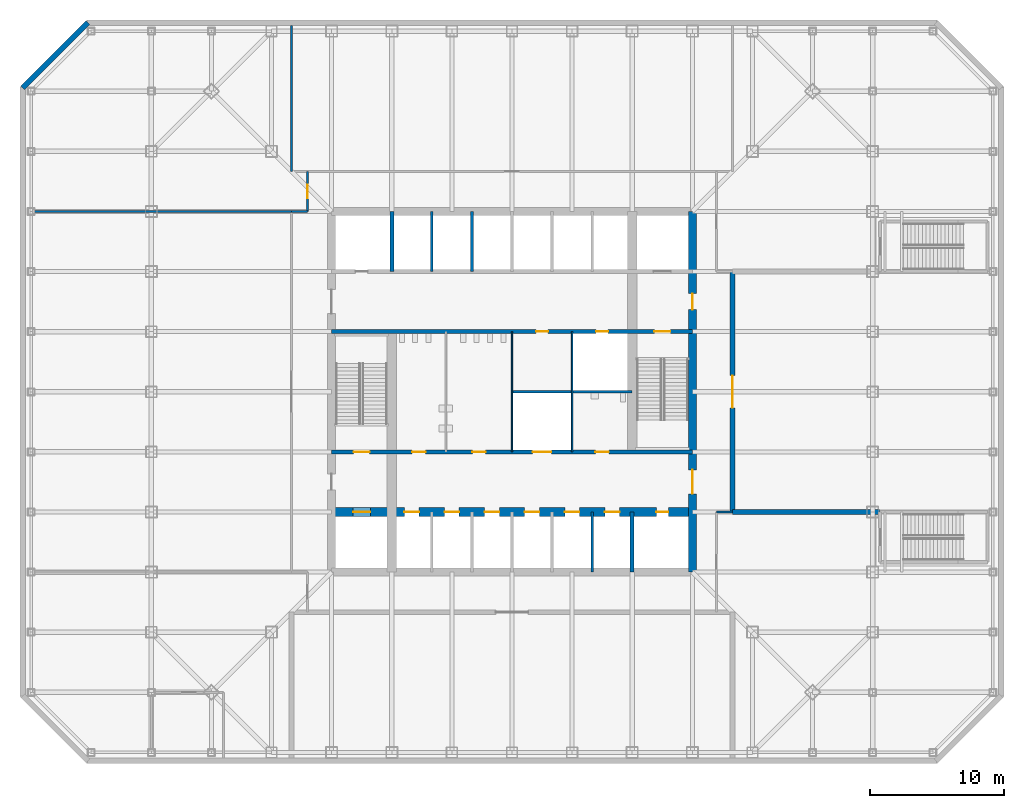
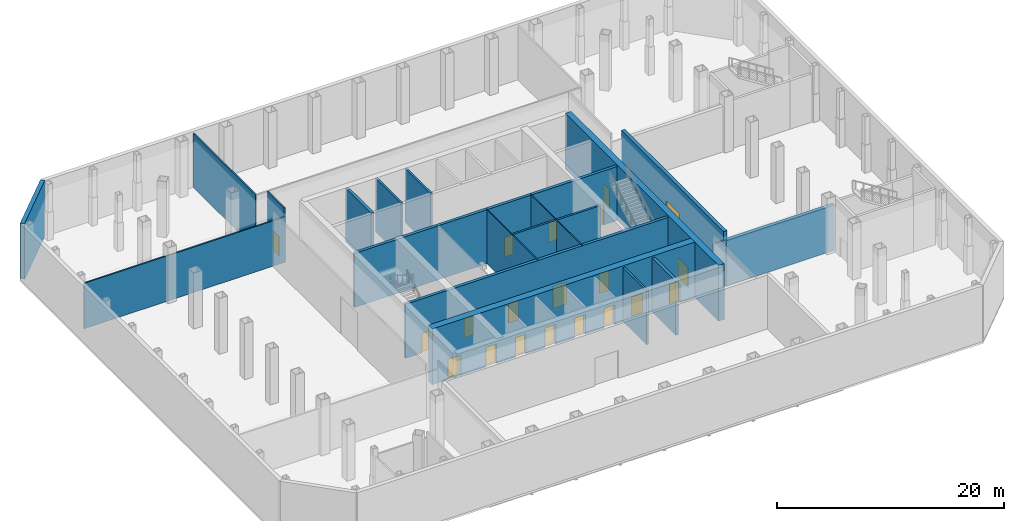
# One storey, part 7 of 12: 20 doors, 20 walls, 20 openings.
"""IFC4 building model written with IfcOpenShell, lengths in metres."""

from ifc_helpers import new_model, si_unit, direction, frame, frame_2d, origin, place, context, subcontext, project, spatial, rectangle, extrude, material, layer, layer_set, type_object, element, fill, save


model = new_model("IFC4")

# Units and contexts
model_context = context("Model", 3, precision=1e-05, world=origin(), true_north=direction((0.0, 1.0)))
body_context = subcontext(model_context, "Body", "Model", "MODEL_VIEW")
ifc_project = project(units=[si_unit("LENGTHUNIT", "METRE"), si_unit("AREAUNIT", "SQUARE_METRE"), si_unit("VOLUMEUNIT", "CUBIC_METRE"), si_unit("PLANEANGLEUNIT", "RADIAN"), si_unit("MASSUNIT", "GRAM", prefix="KILO")], contexts=[model_context])

# Site, building, storey
site_placement = place(None, origin())
site = spatial("IfcSite", under=ifc_project, at=site_placement, CompositionType="ELEMENT")
building_placement = place(site_placement, origin())
building = spatial("IfcBuilding", under=site, at=building_placement, Name="Corais Broadcast Tower", CompositionType="ELEMENT")
storey_placement = place(building_placement, frame((0.0, 0.0, 6.0)))
storey = spatial("IfcBuildingStorey", under=building, at=storey_placement, Name="L01", CompositionType="ELEMENT", Elevation=6.0)

# Walls
ifc_material_1 = material(Name="Concrete blockwork class A, grouted, two-hour", Category="masonry")
ifc_layer_1 = layer(ifc_material_1, 0.300048828125)
ifc_layer_set_1 = layer_set([ifc_layer_1], Name="Concrete blockwork class A, grouted, two-hour")
wall_type_1 = type_object("IfcWallType", Name="Core lobby wall 300", PredefinedType="SOLIDWALL", material=ifc_layer_set_1)
for number, where, z_axis, x_axis, name in (
    (1, (18.0, 36.0, 0.0), (0.0, 0.0, 1.0), (0.0, 1.0, 0.0), "CL1 core shaft wall X18B L01"),
    (2, (36.0, 13.5, 0.0), (0.0, 0.0, 1.0), (0.0, 1.0, 0.0), "CL1 core shaft wall X36A L01"),
):
    element("IfcWall", number, at=place(storey_placement, frame(where, z_axis=z_axis, x_axis=x_axis)), inside=storey, type_object=wall_type_1, Name=name, PredefinedType="SOLIDWALL", context=body_context, shape_type="SweptSolid", body=[
        extrude(rectangle(XDim=4.5, YDim=0.300048828125, at=frame_2d((2.25, 0.0))), origin(), (0.0, 0.0, 1.0), 5.800048828125),
    ])

# Wall, openings, doors
wall_1_placement = place(storey_placement, frame((13.5, 22.5, 0.0), z_axis=(0.0, 0.0, 1.0), x_axis=(1.0, 0.0, 0.0)))
wall_1 = element("IfcWall", 3, at=wall_1_placement, inside=storey, type_object=wall_type_1, Name="CL1 core lobby wall Y225 L01", PredefinedType="SOLIDWALL", context=body_context, shape_type="SweptSolid", body=[
    extrude(rectangle(XDim=27.0, YDim=0.300048828125, at=frame_2d((13.5, 0.0))), origin(), (0.0, 0.0, 1.0), 5.800048828125),
])
opening_1_placement = place(wall_1_placement, frame((1.64990234375, 0.0, 0.0)))
opening_1 = element("IfcOpeningElement", 4, at=opening_1_placement, cuts=wall_1, Name="Opening FD1", PredefinedType="OPENING", context=body_context, shape_type="SweptSolid", body=[
    extrude(rectangle(XDim=1.199951171875, YDim=2.10009765625, at=frame_2d((0.60009765625, 1.050048828125))), frame((0.0, 0.159912109375, 0.0), z_axis=(0.0, -1.0, 0.0), x_axis=(1.0, 0.0, 0.0)), (0.0, 0.0, 1.0), 0.320068359375),
])
opening_2_placement = place(wall_1_placement, frame((6.02490234375, 0.0, 0.0)))
opening_2 = element("IfcOpeningElement", 5, at=opening_2_placement, cuts=wall_1, Name="Opening WD1", PredefinedType="OPENING", context=body_context, shape_type="SweptSolid", body=[
    extrude(rectangle(XDim=1.0, YDim=2.10009765625, at=frame_2d((0.5, 1.050048828125))), frame((0.0, 0.159912109375, 0.0), z_axis=(0.0, -1.0, 0.0), x_axis=(1.0, 0.0, 0.0)), (0.0, 0.0, 1.0), 0.320068359375),
])
opening_3_placement = place(wall_1_placement, frame((10.52490234375, 0.0, 0.0)))
opening_3 = element("IfcOpeningElement", 6, at=opening_3_placement, cuts=wall_1, Name="Opening WD1", PredefinedType="OPENING", context=body_context, shape_type="SweptSolid", body=[
    extrude(rectangle(XDim=1.0, YDim=2.10009765625, at=frame_2d((0.5, 1.050048828125))), frame((0.0, 0.159912109375, 0.0), z_axis=(0.0, -1.0, 0.0), x_axis=(1.0, 0.0, 0.0)), (0.0, 0.0, 1.0), 0.320068359375),
])
opening_4_placement = place(wall_1_placement, frame((19.75, 0.0, 0.0)))
opening_4 = element("IfcOpeningElement", 7, at=opening_4_placement, cuts=wall_1, Name="Opening WD1", PredefinedType="OPENING", context=body_context, shape_type="SweptSolid", body=[
    extrude(rectangle(XDim=1.0, YDim=2.10009765625, at=frame_2d((0.5, 1.050048828125))), frame((0.0, 0.159912109375, 0.0), z_axis=(0.0, -1.0, 0.0), x_axis=(1.0, 0.0, 0.0)), (0.0, 0.0, 1.0), 0.320068359375),
])
opening_5_placement = place(wall_1_placement, frame((15.050048828125, 0.0, 0.0)))
opening_5 = element("IfcOpeningElement", 8, at=opening_5_placement, cuts=wall_1, Name="Opening LD3", PredefinedType="OPENING", context=body_context, shape_type="SweptSolid", body=[
    extrude(rectangle(XDim=1.39990234375, YDim=2.39990234375, at=frame_2d((0.699951171875, 1.199951171875))), frame((0.0, 0.159912109375, 0.0), z_axis=(0.0, -1.0, 0.0), x_axis=(1.0, 0.0, 0.0)), (0.0, 0.0, 1.0), 0.320068359375),
])
ifc_material_2 = material(Name="Steel fire door", Category="steel")
door_type_1 = type_object("IfcDoorType", Name="Fire door 1200x2100", OperationType="SINGLE_SWING_LEFT", PredefinedType="DOOR", material=ifc_material_2)
door_1_placement = place(opening_1_placement, origin())
door_1 = element("IfcDoor", 9, at=door_1_placement, inside=storey, type_object=door_type_1, Name="FD1 stair A door L01", OperationType="SINGLE_SWING_LEFT", OverallHeight=2.10009765625, OverallWidth=1.199951171875, PredefinedType="DOOR", context=body_context, shape_type="SweptSolid", body=[
    extrude(rectangle(XDim=1.199951171875, YDim=2.10009765625, at=frame_2d((0.60009765625, 1.050048828125))), frame((0.0, 0.02490234375, 0.0), z_axis=(0.0, -1.0, 0.0), x_axis=(1.0, 0.0, 0.0)), (0.0, 0.0, 1.0), 0.050048828125),
])
fill(opening_1, door_1)
ifc_material_3 = material(Name="Stainless steel lift door", Category="steel")
door_type_2 = type_object("IfcDoorType", Name="Service lift landing door 1400x2400", OperationType="SLIDING_TO_LEFT", PredefinedType="DOOR", material=ifc_material_3)
door_2_placement = place(opening_5_placement, origin())
door_2 = element("IfcDoor", 10, at=door_2_placement, inside=storey, type_object=door_type_2, Name="LD3 SL1 landing door L01", OperationType="SLIDING_TO_LEFT", OverallHeight=2.39990234375, OverallWidth=1.39990234375, PredefinedType="DOOR", context=body_context, shape_type="SweptSolid", body=[
    extrude(rectangle(XDim=1.39990234375, YDim=2.39990234375, at=frame_2d((0.699951171875, 1.199951171875))), frame((0.0, 0.02490234375, 0.0), z_axis=(0.0, -1.0, 0.0), x_axis=(1.0, 0.0, 0.0)), (0.0, 0.0, 1.0), 0.050048828125),
])
fill(opening_5, door_2)
ifc_material_4 = material(Name="Timber door", Category="wood")
door_type_3 = type_object("IfcDoorType", Name="Toilet door 1000x2100", OperationType="SINGLE_SWING_LEFT", PredefinedType="DOOR", material=ifc_material_4)
door_3_placement = place(opening_2_placement, origin())
door_3 = element("IfcDoor", 11, at=door_3_placement, inside=storey, type_object=door_type_3, Name="WD1 WC male door L01", OperationType="SINGLE_SWING_LEFT", OverallHeight=2.10009765625, OverallWidth=1.0, PredefinedType="DOOR", context=body_context, shape_type="SweptSolid", body=[
    extrude(rectangle(XDim=1.0, YDim=2.10009765625, at=frame_2d((0.5, 1.050048828125))), frame((0.0, 0.02490234375, 0.0), z_axis=(0.0, -1.0, 0.0), x_axis=(1.0, 0.0, 0.0)), (0.0, 0.0, 1.0), 0.050048828125),
])
fill(opening_2, door_3)
door_4_placement = place(opening_3_placement, origin())
door_4 = element("IfcDoor", 12, at=door_4_placement, inside=storey, type_object=door_type_3, Name="WD1 WC female door L01", OperationType="SINGLE_SWING_LEFT", OverallHeight=2.10009765625, OverallWidth=1.0, PredefinedType="DOOR", context=body_context, shape_type="SweptSolid", body=[
    extrude(rectangle(XDim=1.0, YDim=2.10009765625, at=frame_2d((0.5, 1.050048828125))), frame((0.0, 0.02490234375, 0.0), z_axis=(0.0, -1.0, 0.0), x_axis=(1.0, 0.0, 0.0)), (0.0, 0.0, 1.0), 0.050048828125),
])
fill(opening_3, door_4)
door_5_placement = place(opening_4_placement, origin())
door_5 = element("IfcDoor", 13, at=door_5_placement, inside=storey, type_object=door_type_3, Name="WD1 accessible WC door L01", OperationType="SINGLE_SWING_RIGHT", OverallHeight=2.10009765625, OverallWidth=1.0, PredefinedType="DOOR", context=body_context, shape_type="SweptSolid", body=[
    extrude(rectangle(XDim=1.0, YDim=2.10009765625, at=frame_2d((0.5, 1.050048828125))), frame((0.0, 0.02490234375, 0.0), z_axis=(0.0, -1.0, 0.0), x_axis=(1.0, 0.0, 0.0)), (0.0, 0.0, 1.0), 0.050048828125),
])
fill(opening_4, door_5)

wall_2_placement = place(storey_placement, frame((13.5, 31.5, 0.0), z_axis=(0.0, 0.0, 1.0), x_axis=(1.0, 0.0, 0.0)))
wall_2 = element("IfcWall", 14, at=wall_2_placement, inside=storey, type_object=wall_type_1, Name="CL1 core lobby wall Y315 L01", PredefinedType="SOLIDWALL", context=body_context, shape_type="SweptSolid", body=[
    extrude(rectangle(XDim=27.0, YDim=0.300048828125, at=frame_2d((13.5, 0.0))), origin(), (0.0, 0.0, 1.0), 5.800048828125),
])
opening_6_placement = place(wall_2_placement, frame((24.14990234375, 0.0, 0.0)))
opening_6 = element("IfcOpeningElement", 15, at=opening_6_placement, cuts=wall_2, Name="Opening FD1", PredefinedType="OPENING", context=body_context, shape_type="SweptSolid", body=[
    extrude(rectangle(XDim=1.199951171875, YDim=2.10009765625, at=frame_2d((0.60009765625, 1.050048828125))), frame((0.0, 0.159912109375, 0.0), z_axis=(0.0, -1.0, 0.0), x_axis=(1.0, 0.0, 0.0)), (0.0, 0.0, 1.0), 0.320068359375),
])
opening_7_placement = place(wall_2_placement, frame((15.300048828125, 0.0, 0.0)))
opening_7 = element("IfcOpeningElement", 16, at=opening_7_placement, cuts=wall_2, Name="Opening RD1", PredefinedType="OPENING", context=body_context, shape_type="SweptSolid", body=[
    extrude(rectangle(XDim=0.89990234375, YDim=2.10009765625, at=frame_2d((0.449951171875, 1.050048828125))), frame((0.0, 0.159912109375, 0.0), z_axis=(0.0, -1.0, 0.0), x_axis=(1.0, 0.0, 0.0)), (0.0, 0.0, 1.0), 0.320068359375),
])
opening_8_placement = place(wall_2_placement, frame((19.800048828125, 0.0, 0.0)))
opening_8 = element("IfcOpeningElement", 17, at=opening_8_placement, cuts=wall_2, Name="Opening RD1", PredefinedType="OPENING", context=body_context, shape_type="SweptSolid", body=[
    extrude(rectangle(XDim=0.89990234375, YDim=2.10009765625, at=frame_2d((0.449951171875, 1.050048828125))), frame((0.0, 0.159912109375, 0.0), z_axis=(0.0, -1.0, 0.0), x_axis=(1.0, 0.0, 0.0)), (0.0, 0.0, 1.0), 0.320068359375),
])
door_6_placement = place(opening_6_placement, origin())
door_6 = element("IfcDoor", 18, at=door_6_placement, inside=storey, type_object=door_type_1, Name="FD1 stair B door L01", OperationType="SINGLE_SWING_RIGHT", OverallHeight=2.10009765625, OverallWidth=1.199951171875, PredefinedType="DOOR", context=body_context, shape_type="SweptSolid", body=[
    extrude(rectangle(XDim=1.199951171875, YDim=2.10009765625, at=frame_2d((0.60009765625, 1.050048828125))), frame((0.0, 0.02490234375, 0.0), z_axis=(0.0, -1.0, 0.0), x_axis=(1.0, 0.0, 0.0)), (0.0, 0.0, 1.0), 0.050048828125),
])
fill(opening_6, door_6)
ifc_material_5 = material(Name="Steel fire door", Category="steel")
door_type_4 = type_object("IfcDoorType", Name="Riser door 900x2100", OperationType="SINGLE_SWING_LEFT", PredefinedType="DOOR", material=ifc_material_5)
door_7_placement = place(opening_7_placement, origin())
door_7 = element("IfcDoor", 19, at=door_7_placement, inside=storey, type_object=door_type_4, Name="RD1 tea point door L01", OperationType="SINGLE_SWING_RIGHT", OverallHeight=2.10009765625, OverallWidth=0.89990234375, PredefinedType="DOOR", context=body_context, shape_type="SweptSolid", body=[
    extrude(rectangle(XDim=0.89990234375, YDim=2.10009765625, at=frame_2d((0.449951171875, 1.050048828125))), frame((0.0, 0.02490234375, 0.0), z_axis=(0.0, -1.0, 0.0), x_axis=(1.0, 0.0, 0.0)), (0.0, 0.0, 1.0), 0.050048828125),
])
fill(opening_7, door_7)
door_8_placement = place(opening_8_placement, origin())
door_8 = element("IfcDoor", 20, at=door_8_placement, inside=storey, type_object=door_type_4, Name="RD1 riser door L01", OperationType="SINGLE_SWING_RIGHT", OverallHeight=2.10009765625, OverallWidth=0.89990234375, PredefinedType="DOOR", context=body_context, shape_type="SweptSolid", body=[
    extrude(rectangle(XDim=0.89990234375, YDim=2.10009765625, at=frame_2d((0.449951171875, 1.050048828125))), frame((0.0, 0.02490234375, 0.0), z_axis=(0.0, -1.0, 0.0), x_axis=(1.0, 0.0, 0.0)), (0.0, 0.0, 1.0), 0.050048828125),
])
fill(opening_8, door_8)

ifc_material_6 = material(Name="Concrete C50/60", Category="concrete")
ifc_layer_2 = layer(ifc_material_6, 0.699951171875)
ifc_layer_set_2 = layer_set([ifc_layer_2], Name="Concrete C50/60")
wall_type_2 = type_object("IfcWallType", Name="Core spine wall 700", PredefinedType="SHEAR", material=ifc_layer_set_2)
wall_3_placement = place(storey_placement, frame((13.5, 18.0, 0.0), z_axis=(0.0, 0.0, 1.0), x_axis=(1.0, 0.0, 0.0)))
wall_3 = element("IfcWall", 21, at=wall_3_placement, inside=storey, type_object=wall_type_2, Name="CR700 core wall Y18 L01", PredefinedType="SHEAR", context=body_context, shape_type="SweptSolid", body=[
    extrude(rectangle(XDim=27.0, YDim=0.699951171875, at=frame_2d((13.5, 0.0))), origin(), (0.0, 0.0, 1.0), 6.0),
])
opening_9_placement = place(wall_3_placement, frame((24.300048828125, 0.0, 0.0)))
opening_9 = element("IfcOpeningElement", 22, at=opening_9_placement, cuts=wall_3, Name="Opening RD1", PredefinedType="OPENING", context=body_context, shape_type="SweptSolid", body=[
    extrude(rectangle(XDim=0.89990234375, YDim=2.10009765625, at=frame_2d((0.449951171875, 1.050048828125))), frame((0.0, 0.35986328125, 0.0), z_axis=(0.0, -1.0, 0.0), x_axis=(1.0, 0.0, 0.0)), (0.0, 0.0, 1.0), 0.719970703125),
])
opening_10_placement = place(wall_3_placement, frame((5.449951171875, 0.0, 0.0)))
opening_10 = element("IfcOpeningElement", 23, at=opening_10_placement, cuts=wall_3, Name="Opening LD1", PredefinedType="OPENING", context=body_context, shape_type="SweptSolid", body=[
    extrude(rectangle(XDim=1.10009765625, YDim=2.10009765625, at=frame_2d((0.550048828125, 1.050048828125))), frame((0.0, 0.35986328125, 0.0), z_axis=(0.0, -1.0, 0.0), x_axis=(1.0, 0.0, 0.0)), (0.0, 0.0, 1.0), 0.719970703125),
])
opening_11_placement = place(wall_3_placement, frame((8.449951171875, 0.0, 0.0)))
opening_11 = element("IfcOpeningElement", 24, at=opening_11_placement, cuts=wall_3, Name="Opening LD1", PredefinedType="OPENING", context=body_context, shape_type="SweptSolid", body=[
    extrude(rectangle(XDim=1.10009765625, YDim=2.10009765625, at=frame_2d((0.550048828125, 1.050048828125))), frame((0.0, 0.35986328125, 0.0), z_axis=(0.0, -1.0, 0.0), x_axis=(1.0, 0.0, 0.0)), (0.0, 0.0, 1.0), 0.719970703125),
])
opening_12_placement = place(wall_3_placement, frame((11.449951171875, 0.0, 0.0)))
opening_12 = element("IfcOpeningElement", 25, at=opening_12_placement, cuts=wall_3, Name="Opening LD1", PredefinedType="OPENING", context=body_context, shape_type="SweptSolid", body=[
    extrude(rectangle(XDim=1.10009765625, YDim=2.10009765625, at=frame_2d((0.550048828125, 1.050048828125))), frame((0.0, 0.35986328125, 0.0), z_axis=(0.0, -1.0, 0.0), x_axis=(1.0, 0.0, 0.0)), (0.0, 0.0, 1.0), 0.719970703125),
])
opening_13_placement = place(wall_3_placement, frame((14.449951171875, 0.0, 0.0)))
opening_13 = element("IfcOpeningElement", 26, at=opening_13_placement, cuts=wall_3, Name="Opening LD1", PredefinedType="OPENING", context=body_context, shape_type="SweptSolid", body=[
    extrude(rectangle(XDim=1.10009765625, YDim=2.10009765625, at=frame_2d((0.550048828125, 1.050048828125))), frame((0.0, 0.35986328125, 0.0), z_axis=(0.0, -1.0, 0.0), x_axis=(1.0, 0.0, 0.0)), (0.0, 0.0, 1.0), 0.719970703125),
])
opening_14_placement = place(wall_3_placement, frame((17.449951171875, 0.0, 0.0)))
opening_14 = element("IfcOpeningElement", 27, at=opening_14_placement, cuts=wall_3, Name="Opening LD1", PredefinedType="OPENING", context=body_context, shape_type="SweptSolid", body=[
    extrude(rectangle(XDim=1.10009765625, YDim=2.10009765625, at=frame_2d((0.550048828125, 1.050048828125))), frame((0.0, 0.35986328125, 0.0), z_axis=(0.0, -1.0, 0.0), x_axis=(1.0, 0.0, 0.0)), (0.0, 0.0, 1.0), 0.719970703125),
])
opening_15_placement = place(wall_3_placement, frame((20.449951171875, 0.0, 0.0)))
opening_15 = element("IfcOpeningElement", 28, at=opening_15_placement, cuts=wall_3, Name="Opening LD1", PredefinedType="OPENING", context=body_context, shape_type="SweptSolid", body=[
    extrude(rectangle(XDim=1.10009765625, YDim=2.10009765625, at=frame_2d((0.550048828125, 1.050048828125))), frame((0.0, 0.35986328125, 0.0), z_axis=(0.0, -1.0, 0.0), x_axis=(1.0, 0.0, 0.0)), (0.0, 0.0, 1.0), 0.719970703125),
])
opening_16_placement = place(wall_3_placement, frame((1.60009765625, 0.0, 0.0)))
opening_16 = element("IfcOpeningElement", 29, at=opening_16_placement, cuts=wall_3, Name="Opening LD2", PredefinedType="OPENING", context=body_context, shape_type="SweptSolid", body=[
    extrude(rectangle(XDim=1.300048828125, YDim=2.199951171875, at=frame_2d((0.64990234375, 1.10009765625))), frame((0.0, 0.35986328125, 0.0), z_axis=(0.0, -1.0, 0.0), x_axis=(1.0, 0.0, 0.0)), (0.0, 0.0, 1.0), 0.719970703125),
])
ifc_material_7 = material(Name="Stainless steel lift door", Category="steel")
door_type_5 = type_object("IfcDoorType", Name="Lift landing door 1100x2100", OperationType="SLIDING_TO_LEFT", PredefinedType="DOOR", material=ifc_material_7)
door_9_placement = place(opening_10_placement, origin())
door_9 = element("IfcDoor", 30, at=door_9_placement, inside=storey, type_object=door_type_5, Name="LD1 PL1 landing door L01", OperationType="SLIDING_TO_LEFT", OverallHeight=2.10009765625, OverallWidth=1.10009765625, PredefinedType="DOOR", context=body_context, shape_type="SweptSolid", body=[
    extrude(rectangle(XDim=1.10009765625, YDim=2.10009765625, at=frame_2d((0.550048828125, 1.050048828125))), frame((0.0, 0.02490234375, 0.0), z_axis=(0.0, -1.0, 0.0), x_axis=(1.0, 0.0, 0.0)), (0.0, 0.0, 1.0), 0.050048828125),
])
fill(opening_10, door_9)
door_10_placement = place(opening_11_placement, origin())
door_10 = element("IfcDoor", 31, at=door_10_placement, inside=storey, type_object=door_type_5, Name="LD1 PL2 landing door L01", OperationType="SLIDING_TO_LEFT", OverallHeight=2.10009765625, OverallWidth=1.10009765625, PredefinedType="DOOR", context=body_context, shape_type="SweptSolid", body=[
    extrude(rectangle(XDim=1.10009765625, YDim=2.10009765625, at=frame_2d((0.550048828125, 1.050048828125))), frame((0.0, 0.02490234375, 0.0), z_axis=(0.0, -1.0, 0.0), x_axis=(1.0, 0.0, 0.0)), (0.0, 0.0, 1.0), 0.050048828125),
])
fill(opening_11, door_10)
door_11_placement = place(opening_12_placement, origin())
door_11 = element("IfcDoor", 32, at=door_11_placement, inside=storey, type_object=door_type_5, Name="LD1 PL3 landing door L01", OperationType="SLIDING_TO_LEFT", OverallHeight=2.10009765625, OverallWidth=1.10009765625, PredefinedType="DOOR", context=body_context, shape_type="SweptSolid", body=[
    extrude(rectangle(XDim=1.10009765625, YDim=2.10009765625, at=frame_2d((0.550048828125, 1.050048828125))), frame((0.0, 0.02490234375, 0.0), z_axis=(0.0, -1.0, 0.0), x_axis=(1.0, 0.0, 0.0)), (0.0, 0.0, 1.0), 0.050048828125),
])
fill(opening_12, door_11)
door_12_placement = place(opening_13_placement, origin())
door_12 = element("IfcDoor", 33, at=door_12_placement, inside=storey, type_object=door_type_5, Name="LD1 PL4 landing door L01", OperationType="SLIDING_TO_LEFT", OverallHeight=2.10009765625, OverallWidth=1.10009765625, PredefinedType="DOOR", context=body_context, shape_type="SweptSolid", body=[
    extrude(rectangle(XDim=1.10009765625, YDim=2.10009765625, at=frame_2d((0.550048828125, 1.050048828125))), frame((0.0, 0.02490234375, 0.0), z_axis=(0.0, -1.0, 0.0), x_axis=(1.0, 0.0, 0.0)), (0.0, 0.0, 1.0), 0.050048828125),
])
fill(opening_13, door_12)
door_13_placement = place(opening_14_placement, origin())
door_13 = element("IfcDoor", 34, at=door_13_placement, inside=storey, type_object=door_type_5, Name="LD1 PL5 landing door L01", OperationType="SLIDING_TO_LEFT", OverallHeight=2.10009765625, OverallWidth=1.10009765625, PredefinedType="DOOR", context=body_context, shape_type="SweptSolid", body=[
    extrude(rectangle(XDim=1.10009765625, YDim=2.10009765625, at=frame_2d((0.550048828125, 1.050048828125))), frame((0.0, 0.02490234375, 0.0), z_axis=(0.0, -1.0, 0.0), x_axis=(1.0, 0.0, 0.0)), (0.0, 0.0, 1.0), 0.050048828125),
])
fill(opening_14, door_13)
door_14_placement = place(opening_15_placement, origin())
door_14 = element("IfcDoor", 35, at=door_14_placement, inside=storey, type_object=door_type_5, Name="LD1 PL6 landing door L01", OperationType="SLIDING_TO_LEFT", OverallHeight=2.10009765625, OverallWidth=1.10009765625, PredefinedType="DOOR", context=body_context, shape_type="SweptSolid", body=[
    extrude(rectangle(XDim=1.10009765625, YDim=2.10009765625, at=frame_2d((0.550048828125, 1.050048828125))), frame((0.0, 0.02490234375, 0.0), z_axis=(0.0, -1.0, 0.0), x_axis=(1.0, 0.0, 0.0)), (0.0, 0.0, 1.0), 0.050048828125),
])
fill(opening_15, door_14)
ifc_material_8 = material(Name="Stainless steel lift door", Category="steel")
door_type_6 = type_object("IfcDoorType", Name="Lift landing door 1300x2200", OperationType="SLIDING_TO_LEFT", PredefinedType="DOOR", material=ifc_material_8)
door_15_placement = place(opening_16_placement, origin())
door_15 = element("IfcDoor", 36, at=door_15_placement, inside=storey, type_object=door_type_6, Name="LD2 FL1 landing door L01", OperationType="SLIDING_TO_LEFT", OverallHeight=2.199951171875, OverallWidth=1.300048828125, PredefinedType="DOOR", context=body_context, shape_type="SweptSolid", body=[
    extrude(rectangle(XDim=1.300048828125, YDim=2.199951171875, at=frame_2d((0.64990234375, 1.10009765625))), frame((0.0, 0.02490234375, 0.0), z_axis=(0.0, -1.0, 0.0), x_axis=(1.0, 0.0, 0.0)), (0.0, 0.0, 1.0), 0.050048828125),
])
fill(opening_16, door_15)
door_16_placement = place(opening_9_placement, origin())
door_16 = element("IfcDoor", 37, at=door_16_placement, inside=storey, type_object=door_type_4, Name="RD1 riser door L01", OperationType="SINGLE_SWING_RIGHT", OverallHeight=2.10009765625, OverallWidth=0.89990234375, PredefinedType="DOOR", context=body_context, shape_type="SweptSolid", body=[
    extrude(rectangle(XDim=0.89990234375, YDim=2.10009765625, at=frame_2d((0.449951171875, 1.050048828125))), frame((0.0, 0.02490234375, 0.0), z_axis=(0.0, -1.0, 0.0), x_axis=(1.0, 0.0, 0.0)), (0.0, 0.0, 1.0), 0.050048828125),
])
fill(opening_9, door_16)

ifc_material_9 = material(Name="Concrete C50/60", Category="concrete")
ifc_layer_3 = layer(ifc_material_9, 0.60009765625)
ifc_layer_set_3 = layer_set([ifc_layer_3], Name="Concrete C50/60")
wall_type_3 = type_object("IfcWallType", Name="Core wall 600", PredefinedType="SHEAR", material=ifc_layer_set_3)
wall_4_placement = place(storey_placement, frame((40.5, 13.5, 0.0), z_axis=(0.0, 0.0, 1.0), x_axis=(0.0, 1.0, 0.0)))
wall_4 = element("IfcWall", 38, at=wall_4_placement, inside=storey, type_object=wall_type_3, Name="CR600 core wall E L01", PredefinedType="SHEAR", context=body_context, shape_type="SweptSolid", body=[
    extrude(rectangle(XDim=27.0, YDim=0.60009765625, at=frame_2d((13.5, 0.0))), origin(), (0.0, 0.0, 1.0), 6.0),
])
opening_17_placement = place(wall_4_placement, frame((5.85009765625, 0.0, 0.0)))
opening_17 = element("IfcOpeningElement", 39, at=opening_17_placement, cuts=wall_4, Name="Opening FD2", PredefinedType="OPENING", context=body_context, shape_type="SweptSolid", body=[
    extrude(rectangle(XDim=1.800048828125, YDim=2.10009765625, at=frame_2d((0.89990234375, 1.050048828125))), frame((0.0, 0.31005859375, 0.0), z_axis=(0.0, -1.0, 0.0), x_axis=(1.0, 0.0, 0.0)), (0.0, 0.0, 1.0), 0.6201171875),
])
opening_18_placement = place(wall_4_placement, frame((19.64990234375, 0.0, 0.0)))
opening_18 = element("IfcOpeningElement", 40, at=opening_18_placement, cuts=wall_4, Name="Opening FD1", PredefinedType="OPENING", context=body_context, shape_type="SweptSolid", body=[
    extrude(rectangle(XDim=1.199951171875, YDim=2.10009765625, at=frame_2d((0.60009765625, 1.050048828125))), frame((0.0, 0.31005859375, 0.0), z_axis=(0.0, -1.0, 0.0), x_axis=(1.0, 0.0, 0.0)), (0.0, 0.0, 1.0), 0.6201171875),
])
door_17_placement = place(opening_18_placement, origin())
door_17 = element("IfcDoor", 41, at=door_17_placement, inside=storey, type_object=door_type_1, Name="FD1 fire lobby B door L01", OperationType="SINGLE_SWING_RIGHT", OverallHeight=2.10009765625, OverallWidth=1.199951171875, PredefinedType="DOOR", context=body_context, shape_type="SweptSolid", body=[
    extrude(rectangle(XDim=1.199951171875, YDim=2.10009765625, at=frame_2d((0.60009765625, 1.050048828125))), frame((0.0, 0.02490234375, 0.0), z_axis=(0.0, -1.0, 0.0), x_axis=(1.0, 0.0, 0.0)), (0.0, 0.0, 1.0), 0.050048828125),
])
fill(opening_18, door_17)
ifc_material_10 = material(Name="Steel fire door", Category="steel")
door_type_7 = type_object("IfcDoorType", Name="Fire door pair 1800x2100", OperationType="DOUBLE_DOOR_SINGLE_SWING", PredefinedType="DOOR", material=ifc_material_10)
door_18_placement = place(opening_17_placement, origin())
door_18 = element("IfcDoor", 42, at=door_18_placement, inside=storey, type_object=door_type_7, Name="FD2 lift lobby door L01", OperationType="SINGLE_SWING_LEFT", OverallHeight=2.10009765625, OverallWidth=1.800048828125, PredefinedType="DOOR", context=body_context, shape_type="SweptSolid", body=[
    extrude(rectangle(XDim=1.800048828125, YDim=2.10009765625, at=frame_2d((0.89990234375, 1.050048828125))), frame((0.0, 0.02490234375, 0.0), z_axis=(0.0, -1.0, 0.0), x_axis=(1.0, 0.0, 0.0)), (0.0, 0.0, 1.0), 0.050048828125),
])
fill(opening_17, door_18)

# Wall
ifc_material_11 = material(Name="Two leaves of dense concrete blockwork class A with a 50 mm cavity", Category="masonry")
ifc_layer_4 = layer(ifc_material_11, 0.35009765625)
ifc_layer_set_4 = layer_set([ifc_layer_4], Name="Two leaves of dense concrete blockwork class A with a 50 mm cavity")
wall_type_4 = type_object("IfcWallType", Name="Double-leaf acoustic partition 350", PredefinedType="PARTITIONING", material=ifc_layer_set_4)
wall_5_placement = place(storey_placement, frame((43.5, 18.0, 0.0), z_axis=(0.0, 0.0, 1.0), x_axis=(1.0, 0.0, 0.0)))
element("IfcWall", 43, at=wall_5_placement, inside=storey, type_object=wall_type_4, Name="IW4 partition L01", PredefinedType="PARTITIONING", context=body_context, shape_type="SweptSolid", body=[
    extrude(rectangle(XDim=11.0, YDim=0.35009765625, at=frame_2d((5.5, 0.0))), origin(), (0.0, 0.0, 1.0), 4.881103515625),
])

# Wall, opening, door
wall_6_placement = place(storey_placement, frame((43.5, 36.0, 0.0), z_axis=(0.0, 0.0, 1.0), x_axis=(0.0, -1.0, 0.0)))
wall_6 = element("IfcWall", 44, at=wall_6_placement, inside=storey, type_object=wall_type_4, Name="IW4 partition L01", PredefinedType="PARTITIONING", context=body_context, shape_type="SweptSolid", body=[
    extrude(rectangle(XDim=18.0, YDim=0.35009765625, at=frame_2d((9.0, 0.0))), origin(), (0.0, 0.0, 1.0), 5.800048828125),
])
opening_19_placement = place(wall_6_placement, frame((7.800048828125, 0.0, 0.0)))
opening_19 = element("IfcOpeningElement", 45, at=opening_19_placement, cuts=wall_6, Name="Opening D3", PredefinedType="OPENING", context=body_context, shape_type="SweptSolid", body=[
    extrude(rectangle(XDim=2.39990234375, YDim=3.0, at=frame_2d((1.199951171875, 1.5))), frame((0.0, 0.18505859375, 0.0), z_axis=(0.0, -1.0, 0.0), x_axis=(1.0, 0.0, 0.0)), (0.0, 0.0, 1.0), 0.3701171875),
])
ifc_material_12 = material(Name="Acoustic steel door", Category="steel")
door_type_8 = type_object("IfcDoorType", Name="Studio double door 2400x3000", OperationType="DOUBLE_DOOR_SINGLE_SWING", PredefinedType="DOOR", material=ifc_material_12)
door_19_placement = place(opening_19_placement, origin())
door_19 = element("IfcDoor", 46, at=door_19_placement, inside=storey, type_object=door_type_8, Name="D3 Control room A door", OperationType="SINGLE_SWING_LEFT", OverallHeight=3.0, OverallWidth=2.39990234375, PredefinedType="DOOR", context=body_context, shape_type="SweptSolid", body=[
    extrude(rectangle(XDim=2.39990234375, YDim=3.0, at=frame_2d((1.199951171875, 1.5))), frame((0.0, 0.02490234375, 0.0), z_axis=(0.0, -1.0, 0.0), x_axis=(1.0, 0.0, 0.0)), (0.0, 0.0, 1.0), 0.050048828125),
])
fill(opening_19, door_19)

# Wall
ifc_material_13 = material(Name="Gypsum board on steel studs", Category="steel")
ifc_layer_5 = layer(ifc_material_13, 0.14990234375)
ifc_layer_set_5 = layer_set([ifc_layer_5], Name="Gypsum board on steel studs")
wall_type_5 = type_object("IfcWallType", Name="Partition 150", PredefinedType="PARTITIONING", material=ifc_layer_set_5)
wall_7_placement = place(storey_placement, frame((42.300048828125, 18.0, 0.0), z_axis=(0.0, 0.0, 1.0), x_axis=(1.0, 0.0, 0.0)))
element("IfcWall", 47, at=wall_7_placement, inside=storey, type_object=wall_type_5, Name="IW3 corridor wall L01", PredefinedType="PARTITIONING", context=body_context, shape_type="SweptSolid", body=[
    extrude(rectangle(XDim=1.2099609375, YDim=0.14990234375, at=frame_2d((0.60498046875, 0.0))), origin(), (0.0, 0.0, 1.0), 4.881103515625),
])

# Wall, opening, door
wall_8_placement = place(storey_placement, frame((11.699951171875, 43.5, 0.0), z_axis=(0.0, 0.0, 1.0), x_axis=(0.0, -1.0, 0.0)))
wall_8 = element("IfcWall", 48, at=wall_8_placement, inside=storey, type_object=wall_type_5, Name="IW3 corridor wall L01", PredefinedType="PARTITIONING", context=body_context, shape_type="SweptSolid", body=[
    extrude(rectangle(XDim=3.0, YDim=0.14990234375, at=frame_2d((1.5, 0.0))), origin(), (0.0, 0.0, 1.0), 5.800048828125),
])
opening_20_placement = place(wall_8_placement, frame((1.0, 0.0, 0.0)))
opening_20 = element("IfcOpeningElement", 49, at=opening_20_placement, cuts=wall_8, Name="Opening D1", PredefinedType="OPENING", context=body_context, shape_type="SweptSolid", body=[
    extrude(rectangle(XDim=1.0, YDim=2.10009765625, at=frame_2d((0.5, 1.050048828125))), frame((0.0, 0.0849609375, 0.0), z_axis=(0.0, -1.0, 0.0), x_axis=(1.0, 0.0, 0.0)), (0.0, 0.0, 1.0), 0.169921875),
])
ifc_material_14 = material(Name="Timber door", Category="wood")
door_type_9 = type_object("IfcDoorType", Name="Single door 1000x2100", OperationType="SINGLE_SWING_LEFT", PredefinedType="DOOR", material=ifc_material_14)
door_20_placement = place(opening_20_placement, origin())
door_20 = element("IfcDoor", 50, at=door_20_placement, inside=storey, type_object=door_type_9, Name="D1 workplace door L01", OperationType="SINGLE_SWING_LEFT", OverallHeight=2.10009765625, OverallWidth=1.0, PredefinedType="DOOR", context=body_context, shape_type="SweptSolid", body=[
    extrude(rectangle(XDim=1.0, YDim=2.10009765625, at=frame_2d((0.5, 1.050048828125))), frame((0.0, 0.02490234375, 0.0), z_axis=(0.0, -1.0, 0.0), x_axis=(1.0, 0.0, 0.0)), (0.0, 0.0, 1.0), 0.050048828125),
])
fill(opening_20, door_20)

# Walls
wall_9_placement = place(storey_placement, frame((11.699951171875, 40.5, 0.0), z_axis=(0.0, 0.0, 1.0), x_axis=(-1.0, 0.0, 0.0)))
element("IfcWall", 51, at=wall_9_placement, inside=storey, type_object=wall_type_5, Name="IW3 corridor wall L01", PredefinedType="PARTITIONING", context=body_context, shape_type="SweptSolid", body=[
    extrude(rectangle(XDim=1.2099609375, YDim=0.14990234375, at=frame_2d((0.60498046875, 0.0))), origin(), (0.0, 0.0, 1.0), 4.881103515625),
])
wall_10_placement = place(storey_placement, frame((10.5, 54.429931640625, 0.0), z_axis=(0.0, 0.0, 1.0), x_axis=(0.0, -1.0, 0.0)))
element("IfcWall", 52, at=wall_10_placement, inside=storey, type_object=wall_type_5, Name="IW3 partition L01", PredefinedType="PARTITIONING", context=body_context, shape_type="SweptSolid", body=[
    extrude(rectangle(XDim=10.929931640625, YDim=0.14990234375, at=frame_2d((5.46484375, 0.0))), origin(), (0.0, 0.0, 1.0), 5.800048828125),
])
wall_11_placement = place(storey_placement, frame((10.5, 40.5, 0.0), z_axis=(0.0, 0.0, 1.0), x_axis=(-1.0, 0.0, 0.0)))
element("IfcWall", 53, at=wall_11_placement, inside=storey, type_object=wall_type_5, Name="IW3 partition L01", PredefinedType="PARTITIONING", context=body_context, shape_type="SweptSolid", body=[
    extrude(rectangle(XDim=19.239990234375, YDim=0.14990234375, at=frame_2d((9.6201171875, 0.0))), origin(), (0.0, 0.0, 1.0), 4.881103515625),
])
ifc_material_15 = material(Name="Concrete blockwork class A, grouted, two-hour", Category="masonry")
ifc_layer_6 = layer(ifc_material_15, 0.199951171875)
ifc_layer_set_6 = layer_set([ifc_layer_6], Name="Concrete blockwork class A, grouted, two-hour")
wall_type_6 = type_object("IfcWallType", Name="Shaft wall 200", PredefinedType="PARTITIONING", material=ifc_layer_set_6)
for number, where, z_axis, x_axis, name in (
    (54, (21.0, 36.0, 0.0), (0.0, 0.0, 1.0), (0.0, 1.0, 0.0), "IW1 shaft wall L01"),
    (55, (24.0, 36.0, 0.0), (0.0, 0.0, 1.0), (0.0, 1.0, 0.0), "IW1 shaft wall L01"),
    (56, (33.0, 13.5, 0.0), (0.0, 0.0, 1.0), (0.0, 1.0, 0.0), "IW1 shaft wall L01"),
):
    element("IfcWall", number, at=place(storey_placement, frame(where, z_axis=z_axis, x_axis=x_axis)), inside=storey, type_object=wall_type_6, Name=name, PredefinedType="PARTITIONING", context=body_context, shape_type="SweptSolid", body=[
        extrude(rectangle(XDim=4.5, YDim=0.199951171875, at=frame_2d((2.25, 0.0))), origin(), (0.0, 0.0, 1.0), 5.800048828125),
    ])
wall_12_placement = place(storey_placement, frame((27.0, 27.0, 0.0), z_axis=(0.0, 0.0, 1.0), x_axis=(1.0, 0.0, 0.0)))
element("IfcWall", 57, at=wall_12_placement, inside=storey, type_object=wall_type_6, Name="IW1 shaft wall L01", PredefinedType="PARTITIONING", context=body_context, shape_type="SweptSolid", body=[
    extrude(rectangle(XDim=9.0, YDim=0.199951171875, at=frame_2d((4.5, 0.0))), origin(), (0.0, 0.0, 1.0), 5.800048828125),
])
ifc_material_16 = material(Name="Precast concrete C40/50", Category="concrete")
ifc_layer_7 = layer(ifc_material_16, 0.39990234375)
ifc_layer_set_7 = layer_set([ifc_layer_7], Name="Precast concrete C40/50")
wall_type_7 = type_object("IfcWallType", Name="Stone-faced acoustic wall 400", PredefinedType="SOLIDWALL", material=ifc_layer_set_7)
wall_13_placement = place(storey_placement, frame((-9.6298828125, 49.760986328125, 0.0), z_axis=(0.0, 0.0, 1.0), x_axis=(0.707106781187, 0.707106781187, 0.0)))
element("IfcWall", 58, at=wall_13_placement, inside=storey, type_object=wall_type_7, Name="EW2 external wall L01 3", PredefinedType="SOLIDWALL", context=body_context, shape_type="SweptSolid", body=[
    extrude(rectangle(XDim=6.8857421875, YDim=0.39990234375, at=frame_2d((3.44287109375, 0.0))), origin(), (0.0, 0.0, 1.0), 6.0),
])
ifc_material_17 = material(Name="Dense concrete blockwork class A, tiled both faces", Category="masonry")
ifc_layer_8 = layer(ifc_material_17, 0.10009765625)
ifc_layer_set_8 = layer_set([ifc_layer_8], Name="Dense concrete blockwork class A, tiled both faces")
wall_type_8 = type_object("IfcWallType", Name="Toilet wall 100", PredefinedType="PLUMBINGWALL", material=ifc_layer_set_8)
for number, where, z_axis, x_axis, name in (
    (59, (27.0, 22.5, 0.0), (0.0, 0.0, 1.0), (0.0, 1.0, 0.0), "IW2 toilet wall L01"),
    (60, (31.5, 22.5, 0.0), (0.0, 0.0, 1.0), (0.0, 1.0, 0.0), "IW2 toilet wall L01"),
):
    element("IfcWall", number, at=place(storey_placement, frame(where, z_axis=z_axis, x_axis=x_axis)), inside=storey, type_object=wall_type_8, Name=name, PredefinedType="PLUMBINGWALL", context=body_context, shape_type="SweptSolid", body=[
        extrude(rectangle(XDim=9.0, YDim=0.10009765625, at=frame_2d((4.5, 0.0))), origin(), (0.0, 0.0, 1.0), 5.800048828125),
    ])

save(model, "model.ifc")
